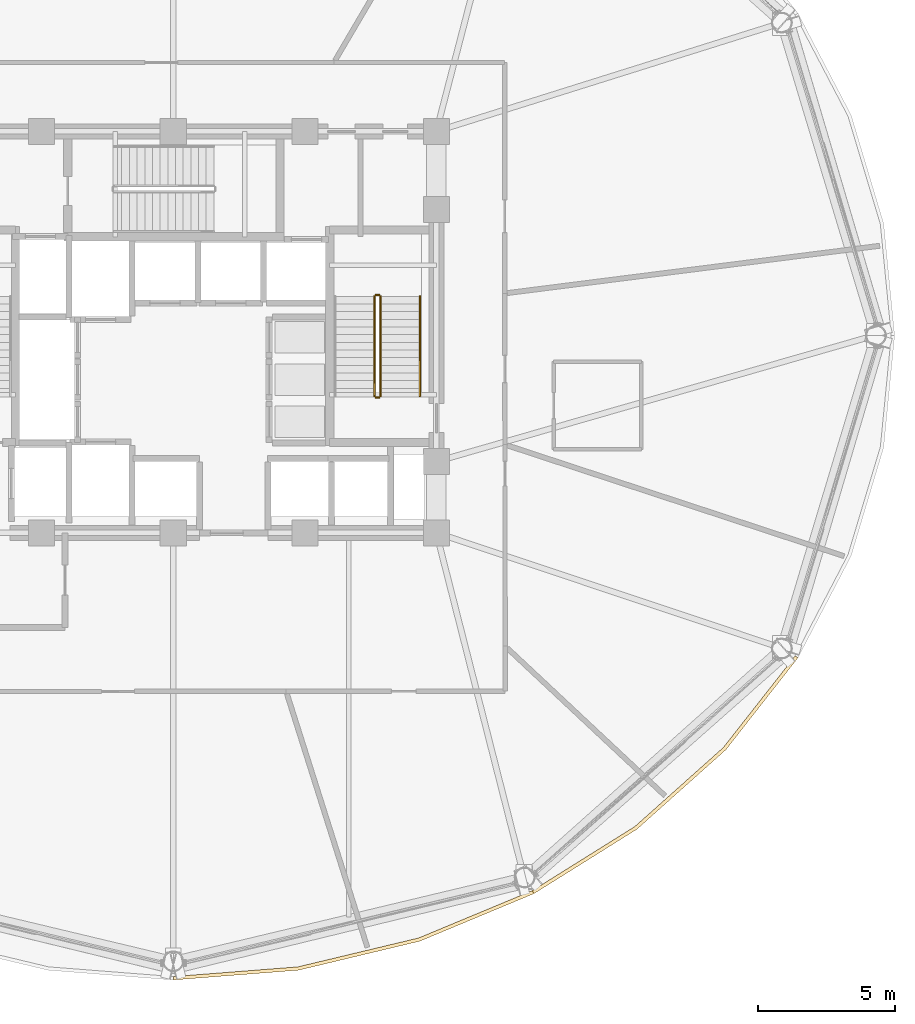
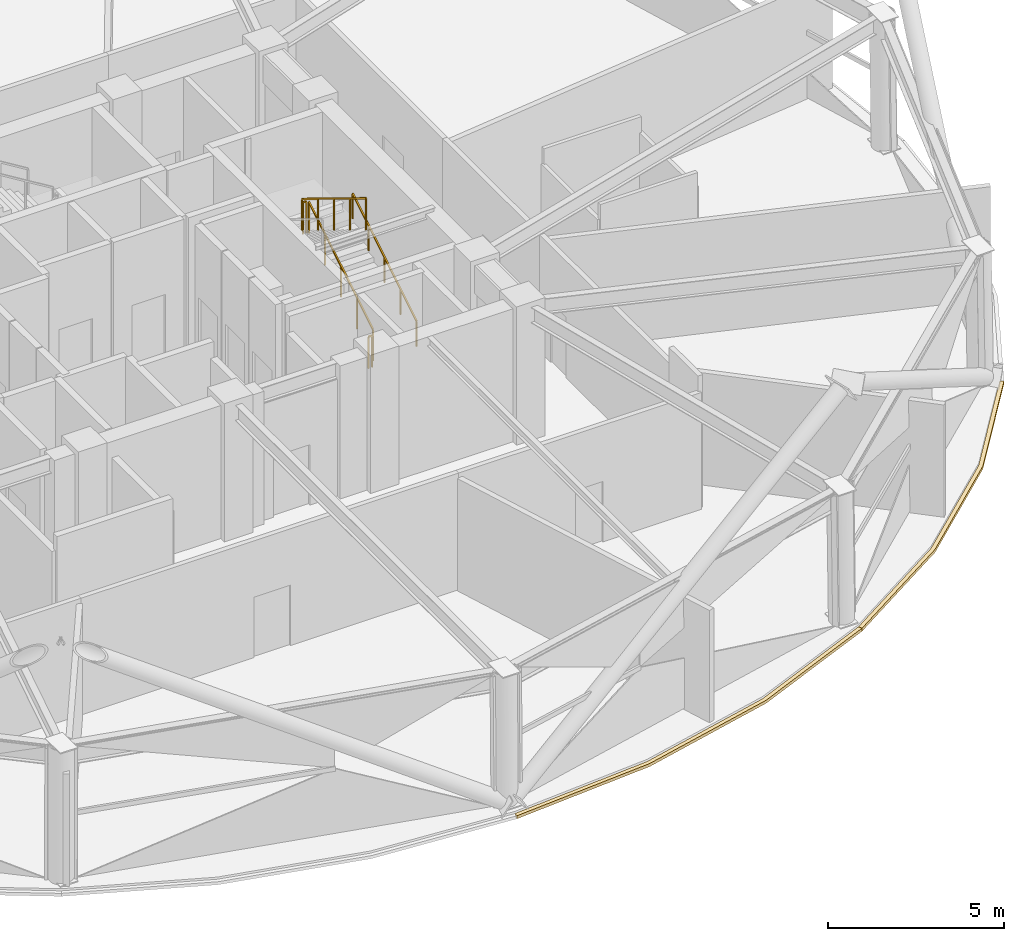
# One storey, part 15 of 17: 5 railings, 2 coverings.
"""IFC4 building model written with IfcOpenShell, lengths in metres."""

import ifcopenshell
import ifcopenshell.guid

model = None  # the IFC model being written
_history = None  # IfcOwnerHistory: only IFC2X3 demands one
_inside = {}  # id of a spatial element -> (the spatial element, [elements in it])
_under = {}  # id of a project, library or spatial element -> (it, [spatial elements below it])
_declared = {}  # id of a project -> (the project, [libraries it declares])
_typed = {}  # id of a type object -> (the type object, [elements of that type])
_made_of = {}  # id of a material, layer set ... -> (it, [elements and type objects made of it])


def new_model(schema):
    """Start an empty IFC model of exactly this schema.

    Asked for "IFC4X3", IfcOpenShell would pick the latest addendum, in which some entities
    have other attributes; the version numbers below select the first issue.
    IFC2X3 requires an IfcOwnerHistory on every rooted entity: one is made here for all.
    """
    global model, _history
    if schema == "IFC4X3":
        model = ifcopenshell.file(schema_version=(4, 3, 0, 0))
    else:
        model = ifcopenshell.file(schema=schema)
    _inside.clear()
    _under.clear()
    _declared.clear()
    _typed.clear()
    _made_of.clear()
    _history = None
    if model.schema == "IFC2X3":
        org = make("IfcOrganization", Name="unknown")
        user = make(
            "IfcPersonAndOrganization",
            ThePerson=make("IfcPerson", FamilyName="unknown"),
            TheOrganization=org,
        )
        app = make(
            "IfcApplication",
            ApplicationDeveloper=org,
            Version="unknown",
            ApplicationFullName="unknown",
            ApplicationIdentifier="unknown",
        )
        _history = make(
            "IfcOwnerHistory",
            OwningUser=user,
            OwningApplication=app,
            ChangeAction="ADDED",
            CreationDate=0,
        )
    return model


def make(cls, **values):
    """One entity of the class cls with the attributes given. An attribute that is None is left unset."""
    return model.create_entity(
        cls, **{name: value for name, value in values.items() if value is not None}
    )


def rooted(cls, **values):
    """An entity with a GlobalId (a new one), such as an element, a storey or a relation."""
    return make(cls, GlobalId=ifcopenshell.guid.new(), OwnerHistory=_history, **values)


def si_unit(unit_type, name, prefix=None):
    """IfcSIUnit, for example si_unit("LENGTHUNIT", "METRE", prefix="MILLI")."""
    return make("IfcSIUnit", UnitType=unit_type, Prefix=prefix, Name=name)


def assignment(units):
    """IfcUnitAssignment: the units of a project."""
    return None if units is None else make("IfcUnitAssignment", Units=units)


def point(xyz):
    """IfcCartesianPoint."""
    return None if xyz is None else make("IfcCartesianPoint", Coordinates=xyz)


def direction(xyz):
    """IfcDirection."""
    return None if xyz is None else make("IfcDirection", DirectionRatios=xyz)


def frame(location, z_axis=None, x_axis=None):
    """IfcAxis2Placement3D, a coordinate frame: its origin and axes. An axis left out is left unset."""
    return make(
        "IfcAxis2Placement3D",
        Location=point(location),
        Axis=direction(z_axis),
        RefDirection=direction(x_axis),
    )


def frame_2d(location, x_axis=None):
    """IfcAxis2Placement2D, a coordinate frame in the plane: its origin and x axis."""
    return make(
        "IfcAxis2Placement2D", Location=point(location), RefDirection=direction(x_axis)
    )


def origin():
    """The frame at (0, 0, 0) with its axes left unset."""
    return frame((0.0, 0.0, 0.0))


def origin_2d():
    """The frame at (0, 0) in the plane with its x axis left unset."""
    return frame_2d((0.0, 0.0))


def place(relative_to, where):
    """IfcLocalPlacement: puts the frame where relative to a parent placement (None: the world)."""
    return make(
        "IfcLocalPlacement", PlacementRelTo=relative_to, RelativePlacement=where
    )


def context(
    kind, dimensions, precision=None, world=None, true_north=None, identifier=None
):
    """IfcGeometricRepresentationContext, for example the 3D "Model" context."""
    return make(
        "IfcGeometricRepresentationContext",
        ContextIdentifier=identifier,
        ContextType=kind,
        CoordinateSpaceDimension=dimensions,
        Precision=precision,
        WorldCoordinateSystem=world,
        TrueNorth=true_north,
    )


def subcontext(parent, identifier, kind, view, scale=None):
    """IfcGeometricRepresentationSubContext, for example "Body" below "Model"."""
    return make(
        "IfcGeometricRepresentationSubContext",
        ContextIdentifier=identifier,
        ContextType=kind,
        ParentContext=parent,
        TargetScale=scale,
        TargetView=view,
    )


def project(units=None, contexts=None):
    """IfcProject with its units and contexts."""
    return rooted(
        "IfcProject",
        Name="project",
        RepresentationContexts=contexts,
        UnitsInContext=assignment(units),
    )


def spatial(cls, under=None, at=None, **own):
    """A site, building, storey or space (cls), placed at a placement, below another one or the project."""
    s = rooted(cls, ObjectPlacement=at, **own)
    if under is not None:
        _under.setdefault(under.id(), (under, []))[1].append(s)
    return s


def polyline(points):
    """IfcPolyline through the points."""
    return make("IfcPolyline", Points=[point(p) for p in points])


def profile(cls, at=None, kind="AREA", **sizes):
    """A parametric profile (cls). Its sizes go by their IFC names, for example OverallWidth=200.0."""
    return make(cls, ProfileType=kind, Position=at, **sizes)


def rectangle(**sizes):
    """IfcRectangleProfileDef."""
    return profile("IfcRectangleProfileDef", **sizes)


def outline(outer, holes=None, kind="AREA"):
    """IfcArbitraryClosedProfileDef: a profile drawn as a closed curve; with holes, ...WithVoids."""
    if holes is None:
        return make("IfcArbitraryClosedProfileDef", ProfileType=kind, OuterCurve=outer)
    return make(
        "IfcArbitraryProfileDefWithVoids",
        ProfileType=kind,
        OuterCurve=outer,
        InnerCurves=holes,
    )


def extrude(swept, where, along, depth):
    """IfcExtrudedAreaSolid: the profile swept, set in the frame where, extruded along a direction by depth."""
    return make(
        "IfcExtrudedAreaSolid",
        SweptArea=swept,
        Position=where,
        ExtrudedDirection=direction(along),
        Depth=depth,
    )


def shape(context_of_items, identifier, shape_type, items):
    """IfcShapeRepresentation: the items that make up one representation, for example the "Body"."""
    return make(
        "IfcShapeRepresentation",
        ContextOfItems=context_of_items,
        RepresentationIdentifier=identifier,
        RepresentationType=shape_type,
        Items=items,
    )


def material(Name=None, Category=None):
    """IfcMaterial."""
    return make("IfcMaterial", Name=Name, Category=Category)


def layer(
    of_material, thickness, ventilated=None, Name=None, Category=None, Priority=None
):
    """IfcMaterialLayer: one layer of a wall or slab, of a material (None: an air gap)."""
    return make(
        "IfcMaterialLayer",
        Material=of_material,
        LayerThickness=thickness,
        IsVentilated=ventilated,
        Name=Name,
        Category=Category,
        Priority=Priority,
    )


def layer_set(layers, Name=None):
    """IfcMaterialLayerSet."""
    return make("IfcMaterialLayerSet", MaterialLayers=layers, LayerSetName=Name)


def made_of(thing, what):
    """Note that an element or type object is made of a material, layer set ...; save() writes the relation."""
    if what is not None:
        _made_of.setdefault(what.id(), (what, []))[1].append(thing)
    return thing


def type_object(cls, material=None, **own):
    """A type object (cls), such as IfcWallType, which elements share."""
    return made_of(rooted(cls, **own), material)


def element(
    cls,
    number,
    at=None,
    inside=None,
    cuts=None,
    type_object=None,
    material=None,
    context=None,
    identifier="Body",
    shape_type=None,
    held_by="IfcProductDefinitionShape",
    body=None,
    shapes=None,
    **own,
):
    """One element of the class cls, such as IfcWall. Its Tag is "e" and its number.

    at: its placement. inside: the storey or other place that contains it. cuts: it is an
    opening in that element (IfcRelVoidsElement). A single representation is given by context,
    identifier, shape_type and body (its items); several are given by shapes. held_by: the class
    of the entity that holds the representations. save() writes the other relations.
    """
    e = rooted(cls, Tag="e%d" % number, ObjectPlacement=at, **own)
    if body is not None:
        shapes = [shape(context, identifier, shape_type, body)]
    if shapes is not None:
        e.Representation = make(held_by, Representations=shapes)
    if inside is not None:
        _inside.setdefault(inside.id(), (inside, []))[1].append(e)
    if cuts is not None:
        rooted(
            "IfcRelVoidsElement", RelatingBuildingElement=cuts, RelatedOpeningElement=e
        )
    if type_object is not None:
        _typed.setdefault(type_object.id(), (type_object, []))[1].append(e)
    return made_of(e, material)


def aggregate(whole, parts):
    """IfcRelAggregates: a whole, such as a stair, and the parts it consists of."""
    return rooted("IfcRelAggregates", RelatingObject=whole, RelatedObjects=parts)


def save(model, path):
    """Write the relations noted so far, then the file.

    IfcRelAggregates (storeys below a building ...), IfcRelContainedInSpatialStructure (elements
    in a storey), IfcRelDefinesByType, IfcRelAssociatesMaterial and IfcRelDeclares: one each for
    every whole, place, type object, material and project.
    """
    for whole, parts in _under.values():
        aggregate(whole, parts)
    for where, things in _inside.values():
        rooted(
            "IfcRelContainedInSpatialStructure",
            RelatedElements=things,
            RelatingStructure=where,
        )
    for kind, things in _typed.values():
        rooted("IfcRelDefinesByType", RelatedObjects=things, RelatingType=kind)
    for what, things in _made_of.values():
        rooted("IfcRelAssociatesMaterial", RelatedObjects=things, RelatingMaterial=what)
    for by, libraries in _declared.values():
        rooted("IfcRelDeclares", RelatingContext=by, RelatedDefinitions=libraries)
    model.write(path)


model = new_model("IFC4")

# Units and contexts
model_context = context("Model", 3, precision=1e-05, world=origin(), true_north=direction((0.0, 1.0)))
body_context = subcontext(model_context, "Body", "Model", "MODEL_VIEW")
ifc_project = project(units=[si_unit("LENGTHUNIT", "METRE"), si_unit("AREAUNIT", "SQUARE_METRE"), si_unit("VOLUMEUNIT", "CUBIC_METRE"), si_unit("PLANEANGLEUNIT", "RADIAN"), si_unit("MASSUNIT", "GRAM", prefix="KILO")], contexts=[model_context])

# Site, building, storey
site_placement = place(None, origin())
site = spatial("IfcSite", under=ifc_project, at=site_placement, CompositionType="ELEMENT")
building_placement = place(site_placement, origin())
building = spatial("IfcBuilding", under=site, at=building_placement, Name="Vantalir Tower", CompositionType="ELEMENT")
storey_placement = place(building_placement, frame((0.0, 0.0, 96.14990234375)))
storey = spatial("IfcBuildingStorey", under=building, at=storey_placement, Name="L23", CompositionType="ELEMENT", Elevation=96.14990234375)

# Coverings
ifc_material_1 = material(Name="Anodised champagne aluminium sill fascia", Category="aluminium")
ifc_layer = layer(ifc_material_1, 0.125)
ifc_layer_set = layer_set([ifc_layer], Name="Anodised champagne aluminium sill fascia")
covering_type = type_object("IfcCoveringType", Name="COV-SLAB-FASCIA-125", PredefinedType="CLADDING", material=ifc_layer_set)
covering_1_placement = place(storey_placement, frame((0.0, 0.0, -0.179931640625)))
element("IfcCovering", 1, at=covering_1_placement, inside=storey, type_object=covering_type, Name="L23 Perimeter Slab-Edge Sill Fascia 10", PredefinedType="CLADDING", context=body_context, shape_type="SweptSolid", body=[
    extrude(outline(polyline([(31.5, 1.48193359375), (36.071044921875, 1.839111328125), (40.50390625, 2.89990234375), (44.6630859375, 4.633056640625), (44.60009765625, 4.740966796875), (40.4609375, 3.01806640625), (36.050048828125, 1.9619140625), (31.5, 1.60693359375), (31.5, 1.48193359375)])), origin(), (0.0, 0.0, 1.0), 0.10498046875),
])
covering_2_placement = place(storey_placement, frame((0.0, 0.0, -0.179931640625)))
element("IfcCovering", 2, at=covering_2_placement, inside=storey, type_object=covering_type, Name="L23 Perimeter Slab-Edge Sill Fascia 11", PredefinedType="CLADDING", context=body_context, shape_type="SweptSolid", body=[
    extrude(outline(polyline([(44.6630859375, 4.633056640625), (48.4208984375, 6.98388671875), (51.666015625, 9.883056640625), (54.298095703125, 13.240966796875), (54.18994140625, 13.302978515625), (51.570068359375, 9.962890625), (48.341064453125, 7.080078125), (44.60009765625, 4.740966796875), (44.6630859375, 4.633056640625)])), origin(), (0.0, 0.0, 1.0), 0.10498046875),
])

# Railings
ifc_material_2 = material(Name="Anodised aluminium and stainless steel guard", Category="steel")
railing_type_1 = type_object("IfcRailingType", Name="RAL-GUARD-1120", PredefinedType="GUARDRAIL", material=ifc_material_2)
railing_1_placement = place(storey_placement, frame((39.06005859375, 22.7900390625, 0.171630859375)))
element("IfcRailing", 3, at=railing_1_placement, inside=storey, type_object=railing_type_1, Name="L23 ST2 stair guard 1", PredefinedType="GUARDRAIL", context=body_context, shape_type="SweptSolid", body=[
    extrude(rectangle(XDim=0.048095703125, YDim=0.048095703125, at=origin_2d()), frame((0.0, 0.0, 1.09619140625), z_axis=(0.0, 0.852850264322, 0.5221555579), x_axis=(-1.0, 0.0, 0.0)), (0.0, 0.0, 1.0), 4.267822265625),
    extrude(rectangle(XDim=0.0419921875, YDim=0.0419921875, at=origin_2d()), origin(), (0.0, 0.0, 1.0), 1.072021484375),
    extrude(rectangle(XDim=0.0419921875, YDim=0.0419921875, at=origin_2d()), frame((0.0, 0.909912109375, 0.55712890625)), (0.0, 0.0, 1.0), 1.072021484375),
    extrude(rectangle(XDim=0.0419921875, YDim=0.0419921875, at=origin_2d()), frame((0.0, 1.81982421875, 1.1142578125)), (0.0, 0.0, 1.0), 1.072021484375),
    extrude(rectangle(XDim=0.0419921875, YDim=0.0419921875, at=origin_2d()), frame((0.0, 2.72998046875, 1.67138671875)), (0.0, 0.0, 1.0), 1.072021484375),
    extrude(rectangle(XDim=0.0419921875, YDim=0.0419921875, at=origin_2d()), frame((0.0, 3.639892578125, 2.228515625)), (0.0, 0.0, 1.0), 1.072021484375),
])
railing_2_placement = place(storey_placement, frame((39.010009765625, 26.47998046875, 2.400146484375)))
element("IfcRailing", 4, at=railing_2_placement, inside=storey, type_object=railing_type_1, Name="L23 ST2 stair guard 2", PredefinedType="GUARDRAIL", context=body_context, shape_type="SweptSolid", body=[
    extrude(rectangle(XDim=0.048095703125, YDim=0.048095703125, at=origin_2d()), frame((0.0, 0.0, 1.09619140625), z_axis=(-1.0, 0.0, 0.0), x_axis=(0.0, -1.0, 0.0)), (0.0, 0.0, 1.0), 0.1201171875),
    extrude(rectangle(XDim=0.0419921875, YDim=0.0419921875, at=origin_2d()), origin(), (0.0, 0.0, 1.0), 1.072021484375),
    extrude(rectangle(XDim=0.0419921875, YDim=0.0419921875, at=origin_2d()), frame((-0.1201171875, 0.0, 0.0)), (0.0, 0.0, 1.0), 1.072021484375),
])
railing_3_placement = place(storey_placement, frame((38.840087890625, 26.429931640625, 2.571533203125)))
element("IfcRailing", 5, at=railing_3_placement, inside=storey, type_object=railing_type_1, Name="L23 ST2 stair guard 3", PredefinedType="GUARDRAIL", context=body_context, shape_type="SweptSolid", body=[
    extrude(rectangle(XDim=0.048095703125, YDim=0.048095703125, at=origin_2d()), frame((0.0, 0.0, 1.09619140625), z_axis=(0.0, -0.852850264322, 0.5221555579), x_axis=(1.0, 0.0, 0.0)), (0.0, 0.0, 1.0), 4.267822265625),
    extrude(rectangle(XDim=0.0419921875, YDim=0.0419921875, at=origin_2d()), origin(), (0.0, 0.0, 1.0), 1.072021484375),
    extrude(rectangle(XDim=0.0419921875, YDim=0.0419921875, at=origin_2d()), frame((0.0, -0.909912109375, 0.55712890625)), (0.0, 0.0, 1.0), 1.072021484375),
    extrude(rectangle(XDim=0.0419921875, YDim=0.0419921875, at=origin_2d()), frame((0.0, -1.81982421875, 1.1142578125)), (0.0, 0.0, 1.0), 1.072021484375),
    extrude(rectangle(XDim=0.0419921875, YDim=0.0419921875, at=origin_2d()), frame((0.0, -2.72998046875, 1.67138671875)), (0.0, 0.0, 1.0), 1.072021484375),
    extrude(rectangle(XDim=0.0419921875, YDim=0.0419921875, at=origin_2d()), frame((0.0, -3.639892578125, 2.228515625)), (0.0, 0.0, 1.0), 1.072021484375),
])
railing_4_placement = place(storey_placement, frame((39.010009765625, 22.739990234375, 0.0)))
element("IfcRailing", 6, at=railing_4_placement, inside=storey, type_object=railing_type_1, Name="L23 ST2 stair guard 4", PredefinedType="GUARDRAIL", context=body_context, shape_type="SweptSolid", body=[
    extrude(rectangle(XDim=0.048095703125, YDim=0.048095703125, at=origin_2d()), frame((0.0, 0.0, 1.09619140625), z_axis=(-1.0, 0.0, 0.0), x_axis=(0.0, -1.0, 0.0)), (0.0, 0.0, 1.0), 0.1201171875),
    extrude(rectangle(XDim=0.0419921875, YDim=0.0419921875, at=origin_2d()), origin(), (0.0, 0.0, 1.0), 1.072021484375),
    extrude(rectangle(XDim=0.0419921875, YDim=0.0419921875, at=origin_2d()), frame((-0.1201171875, 0.0, 0.0)), (0.0, 0.0, 1.0), 1.072021484375),
])
ifc_material_3 = material(Name="Brushed stainless steel tubular handrail", Category="steel")
railing_type_2 = type_object("IfcRailingType", Name="RAL-HANDRAIL-900", PredefinedType="HANDRAIL", material=ifc_material_3)
railing_5_placement = place(storey_placement, frame((40.5, 22.7900390625, 0.171630859375)))
element("IfcRailing", 7, at=railing_5_placement, inside=storey, type_object=railing_type_2, Name="L23 ST2 stair handrail 1", PredefinedType="HANDRAIL", context=body_context, shape_type="SweptSolid", body=[
    extrude(rectangle(XDim=0.048095703125, YDim=0.048095703125, at=origin_2d()), frame((0.0, 0.0, 0.8759765625), z_axis=(0.0, 0.852850264322, 0.5221555579), x_axis=(-1.0, 0.0, 0.0)), (0.0, 0.0, 1.0), 4.267822265625),
    extrude(rectangle(XDim=0.0419921875, YDim=0.0419921875, at=origin_2d()), origin(), (0.0, 0.0, 1.0), 0.851806640625),
    extrude(rectangle(XDim=0.0419921875, YDim=0.0419921875, at=origin_2d()), frame((0.0, 0.909912109375, 0.55712890625)), (0.0, 0.0, 1.0), 0.851806640625),
    extrude(rectangle(XDim=0.0419921875, YDim=0.0419921875, at=origin_2d()), frame((0.0, 1.81982421875, 1.1142578125)), (0.0, 0.0, 1.0), 0.851806640625),
    extrude(rectangle(XDim=0.0419921875, YDim=0.0419921875, at=origin_2d()), frame((0.0, 2.72998046875, 1.67138671875)), (0.0, 0.0, 1.0), 0.851806640625),
    extrude(rectangle(XDim=0.0419921875, YDim=0.0419921875, at=origin_2d()), frame((0.0, 3.639892578125, 2.228515625)), (0.0, 0.0, 1.0), 0.851806640625),
])

save(model, "model.ifc")
